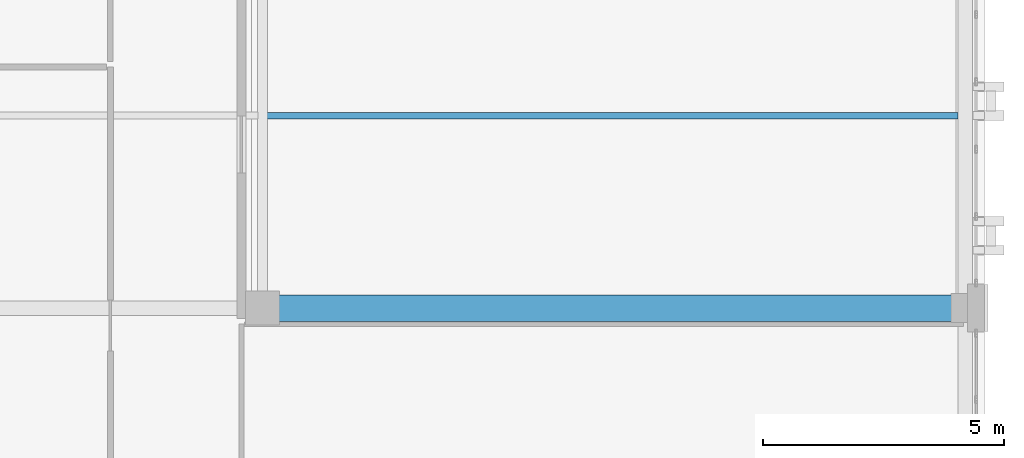
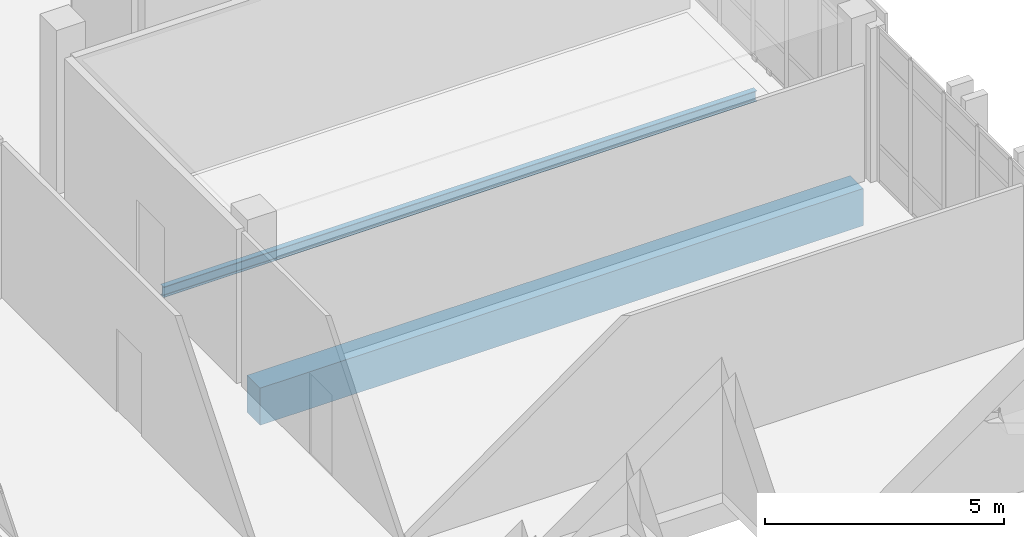
# One storey, part 28 of 48: 2 beams.
"""IFC4 building model written with IfcOpenShell, lengths in metres."""

from ifc_helpers import new_model, si_unit, direction, frame, origin, origin_2d, place, context, subcontext, project, spatial, rectangle, i_section, extrude, material, material_profile, profile_set, type_object, element, save


model = new_model("IFC4")

# Units and contexts
model_context = context("Model", 3, precision=1e-05, world=origin(), true_north=direction((0.0, 1.0)))
body_context = subcontext(model_context, "Body", "Model", "MODEL_VIEW")
ifc_project = project(units=[si_unit("LENGTHUNIT", "METRE"), si_unit("AREAUNIT", "SQUARE_METRE"), si_unit("VOLUMEUNIT", "CUBIC_METRE"), si_unit("PLANEANGLEUNIT", "RADIAN"), si_unit("MASSUNIT", "GRAM", prefix="KILO")], contexts=[model_context])

# Site, building, storey
site_placement = place(None, origin())
site = spatial("IfcSite", under=ifc_project, at=site_placement, CompositionType="ELEMENT")
building_placement = place(site_placement, origin())
building = spatial("IfcBuilding", under=site, at=building_placement, Name="Qalavern Law Courts", CompositionType="ELEMENT")
storey_placement = place(building_placement, frame((0.0, 0.0, 31.199951171875)))
storey = spatial("IfcBuildingStorey", under=building, at=storey_placement, Name="L07", CompositionType="ELEMENT", Elevation=31.199951171875)

# Beams
ifc_material_1 = material(Name="Concrete C40/50", Category="concrete")
ifc_material_profile_1 = material_profile(ifc_material_1, rectangle(XDim=0.550048828125, YDim=0.949951171875, at=origin_2d()), Name="RC 550x950")
ifc_profile_set_1 = profile_set([ifc_material_profile_1], Name="Concrete C40/50")
beam_type_1 = type_object("IfcBeamType", Name="STR-BM-RC550x950", PredefinedType="BEAM", material=ifc_profile_set_1)
beam_1_placement = place(storey_placement, frame((91.800048828125, 57.39990234375, -0.739990234375), z_axis=(1.0, 0.0, 0.0), x_axis=(0.0, 1.0, 0.0)))
element("IfcBeam", 1, at=beam_1_placement, inside=storey, type_object=beam_type_1, Name="V4 X-beam 3-2 L07", PredefinedType="BEAM", context=body_context, shape_type="SweptSolid", body=[
    extrude(rectangle(XDim=0.550048828125, YDim=0.949951171875, at=origin_2d()), origin(), (0.0, 0.0, 1.0), 14.599853515625),
])
ifc_material_2 = material(Name="Steel S355", Category="steel")
ifc_material_profile_2 = material_profile(ifc_material_2, i_section(OverallWidth=0.135009765625, OverallDepth=0.27001953125, WebThickness=0.006591796875, FlangeThickness=0.01025390625, FilletRadius=0.014892578125, at=origin_2d()), Name="IPE 270")
ifc_profile_set_2 = profile_set([ifc_material_profile_2], Name="Steel S355")
beam_type_2 = type_object("IfcBeamType", Name="STR-JST-IPE270", PredefinedType="JOIST", material=ifc_profile_set_2)
beam_2_placement = place(storey_placement, frame((91.89794921875, 61.39990234375, -0.39990234375), z_axis=(1.0, 0.0, 0.0), x_axis=(0.0, 1.0, 0.0)))
element("IfcBeam", 2, at=beam_2_placement, inside=storey, type_object=beam_type_2, Name="V4 secondary joist 2.3.1 L07", PredefinedType="JOIST", context=body_context, shape_type="SweptSolid", body=[
    extrude(i_section(OverallWidth=0.135009765625, OverallDepth=0.27001953125, WebThickness=0.006591796875, FlangeThickness=0.01025390625, FilletRadius=0.014892578125, at=origin_2d()), origin(), (0.0, 0.0, 1.0), 14.35400390625),
])

save(model, "model.ifc")
